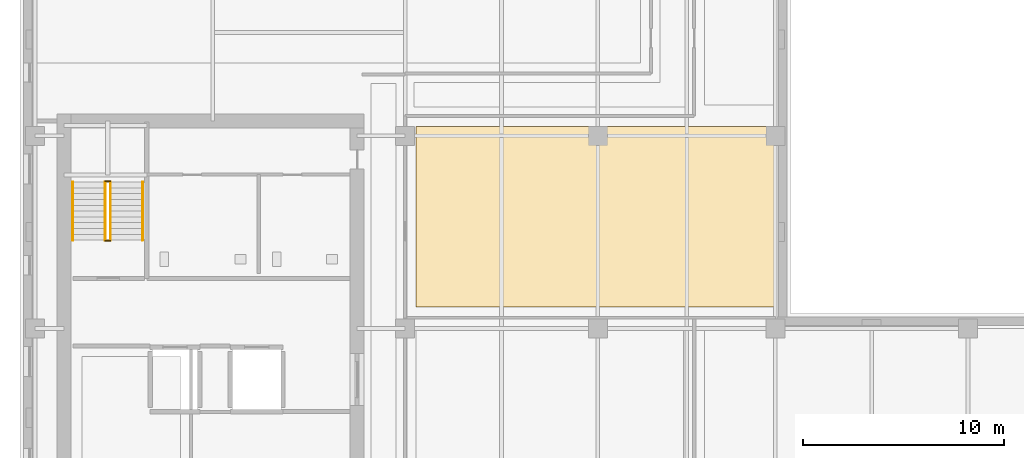
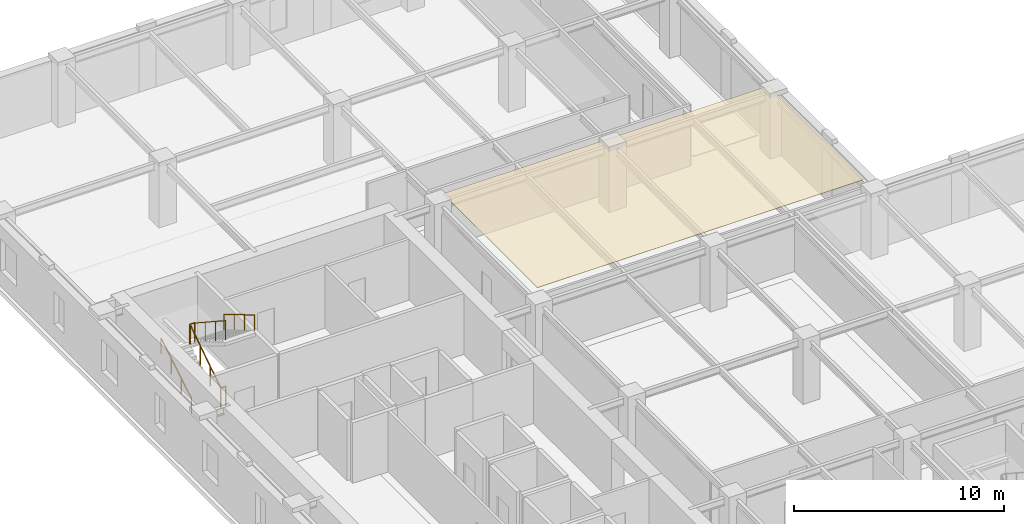
# One storey, part 11 of 13: 6 railings, 1 covering.
"""IFC4 building model written with IfcOpenShell, lengths in metres."""

from ifc_helpers import new_model, si_unit, direction, frame, origin, origin_2d, place, context, subcontext, project, spatial, polyline, circle, outline, extrude, material, layer, layer_set, type_object, element, save


model = new_model("IFC4")

# Units and contexts
model_context = context("Model", 3, precision=1e-05, world=origin(), true_north=direction((0.0, 1.0)))
body_context = subcontext(model_context, "Body", "Model", "MODEL_VIEW")
ifc_project = project(units=[si_unit("LENGTHUNIT", "METRE"), si_unit("AREAUNIT", "SQUARE_METRE"), si_unit("VOLUMEUNIT", "CUBIC_METRE"), si_unit("PLANEANGLEUNIT", "RADIAN"), si_unit("MASSUNIT", "GRAM", prefix="KILO")], contexts=[model_context])

# Site, building, storey
site_placement = place(None, origin())
site = spatial("IfcSite", under=ifc_project, at=site_placement, CompositionType="ELEMENT")
building_placement = place(site_placement, origin())
building = spatial("IfcBuilding", under=site, at=building_placement, Name="Norrvale University Quadrangle", CompositionType="ELEMENT")
storey_placement = place(building_placement, frame((0.0, 0.0, 159.800048828125)))
storey = spatial("IfcBuildingStorey", under=building, at=storey_placement, Name="L40", CompositionType="ELEMENT", Elevation=159.800048828125)

# Covering
ifc_material_1 = material(Name="Perforated Acoustic Mineral Ceiling")
ifc_layer = layer(ifc_material_1, 0.02490234375, Name="Perforated Acoustic Mineral Ceiling")
ifc_layer_set = layer_set([ifc_layer], Name="Perforated Acoustic Mineral Ceiling")
covering_type = type_object("IfcCoveringType", Name="Covering Acoustic Ceiling 25", PredefinedType="CEILING", material=ifc_layer_set)
covering_placement = place(storey_placement, frame((0.0, 0.0, 3.514892578125)))
element("IfcCovering", 1, at=covering_placement, inside=storey, type_object=covering_type, Name="Acoustic Ceiling RM-L40-MNE01", PredefinedType="CEILING", context=body_context, shape_type="SweptSolid", body=[
    extrude(outline(polyline([(19.72998046875, 47.719970703125), (37.64990234375, 47.719970703125), (37.64990234375, 38.7099609375), (19.72998046875, 38.7099609375), (19.72998046875, 47.719970703125)])), origin(), (0.0, 0.0, 1.0), 0.025146484375),
])

# Railings
ifc_material_2 = material(Name="Steel 350W Painted Balustrade", Category="steel")
railing_type_1 = type_object("IfcRailingType", Name="Railing Stair Guard 1100", PredefinedType="GUARDRAIL", material=ifc_material_2)
for number, where, name in (
    (2, (4.239990234375, 42.02001953125, 0.0), "Stair Floor Well Guard ST-02 L40"),
    (3, (4.239990234375, 44.97998046875, 1.89990234375), "Stair Mid-Landing Slot Guard ST-02 L40"),
):
    element("IfcRailing", number, at=place(storey_placement, frame(where)), inside=storey, type_object=railing_type_1, Name=name, PredefinedType="GUARDRAIL", context=body_context, shape_type="SweptSolid", body=[
        extrude(circle(Radius=0.02392578125, at=origin_2d()), frame((0.0, 0.0, 1.1259765625), z_axis=(1.0, 0.0, 0.0), x_axis=(0.0, 1.0, 0.0)), (0.0, 0.0, 1.0), 0.27001953125),
        extrude(circle(Radius=0.02099609375, at=origin_2d()), origin(), (0.0, 0.0, 1.0), 1.101806640625),
        extrude(circle(Radius=0.02099609375, at=origin_2d()), frame((0.27001953125, 0.0, 0.0)), (0.0, 0.0, 1.0), 1.101806640625),
    ])
railing_1_placement = place(storey_placement, frame((4.239990234375, 42.050048828125, 0.0)))
element("IfcRailing", 4, at=railing_1_placement, inside=storey, type_object=railing_type_1, Name="Stair Lower Flight Inner Guard ST-02 L40", PredefinedType="GUARDRAIL", context=body_context, shape_type="SweptSolid", body=[
    extrude(circle(Radius=0.02392578125, at=origin_2d()), frame((0.0, 0.0, 1.1259765625), z_axis=(0.0, 0.836465582154, 0.548019461216), x_axis=(-1.0, 0.0, 0.0)), (0.0, 0.0, 1.0), 3.466796875),
    extrude(circle(Radius=0.02099609375, at=origin_2d()), origin(), (0.0, 0.0, 1.0), 1.101806640625),
    extrude(circle(Radius=0.02099609375, at=origin_2d()), frame((0.0, 0.966552734375, 0.63330078125)), (0.0, 0.0, 1.0), 1.101806640625),
    extrude(circle(Radius=0.02099609375, at=origin_2d()), frame((0.0, 1.933349609375, 1.2666015625)), (0.0, 0.0, 1.0), 1.101806640625),
    extrude(circle(Radius=0.02099609375, at=origin_2d()), frame((0.0, 2.89990234375, 1.89990234375)), (0.0, 0.0, 1.0), 1.101806640625),
])
railing_2_placement = place(storey_placement, frame((4.510009765625, 44.949951171875, 1.89990234375)))
element("IfcRailing", 5, at=railing_2_placement, inside=storey, type_object=railing_type_1, Name="Stair Upper Flight Inner Guard ST-02 L40", PredefinedType="GUARDRAIL", context=body_context, shape_type="SweptSolid", body=[
    extrude(circle(Radius=0.02392578125, at=origin_2d()), frame((0.0, 0.0, 1.1259765625), z_axis=(0.0, -0.836433300813, 0.548068730445), x_axis=(1.0, 0.0, 0.0)), (0.0, 0.0, 1.0), 3.467041015625),
    extrude(circle(Radius=0.02099609375, at=origin_2d()), origin(), (0.0, 0.0, 1.0), 1.101806640625),
    extrude(circle(Radius=0.02099609375, at=origin_2d()), frame((0.0, -0.966552734375, 0.63330078125)), (0.0, 0.0, 1.0), 1.101806640625),
    extrude(circle(Radius=0.02099609375, at=origin_2d()), frame((0.0, -1.933349609375, 1.266845703125)), (0.0, 0.0, 1.0), 1.101806640625),
    extrude(circle(Radius=0.02099609375, at=origin_2d()), frame((0.0, -2.89990234375, 1.900146484375)), (0.0, 0.0, 1.0), 1.101806640625),
])
ifc_material_3 = material(Name="Stainless Steel 316L Handrail", Category="steel")
railing_type_2 = type_object("IfcRailingType", Name="Railing Stair Handrail 920", PredefinedType="HANDRAIL", material=ifc_material_3)
railing_3_placement = place(storey_placement, frame((2.639892578125, 42.050048828125, 0.172607421875)))
element("IfcRailing", 6, at=railing_3_placement, inside=storey, type_object=railing_type_2, Name="Stair Lower Flight Handrail ST-02 L40", PredefinedType="HANDRAIL", context=body_context, shape_type="SweptSolid", body=[
    extrude(circle(Radius=0.02392578125, at=origin_2d()), frame((0.0, 0.0, 0.89599609375), z_axis=(0.0, 0.859141464434, 0.511738159696), x_axis=(-1.0, 0.0, 0.0)), (0.0, 0.0, 1.0), 3.375244140625),
    extrude(circle(Radius=0.02099609375, at=origin_2d()), origin(), (0.0, 0.0, 1.0), 0.871826171875),
    extrude(circle(Radius=0.02099609375, at=origin_2d()), frame((0.0, 0.966552734375, 0.57568359375)), (0.0, 0.0, 1.0), 0.871826171875),
    extrude(circle(Radius=0.02099609375, at=origin_2d()), frame((0.0, 1.933349609375, 1.151611328125)), (0.0, 0.0, 1.0), 0.871826171875),
    extrude(circle(Radius=0.02099609375, at=origin_2d()), frame((0.0, 2.89990234375, 1.727294921875)), (0.0, 0.0, 1.0), 0.871826171875),
])
railing_4_placement = place(storey_placement, frame((6.110107421875, 44.949951171875, 2.07275390625)))
element("IfcRailing", 7, at=railing_4_placement, inside=storey, type_object=railing_type_2, Name="Stair Upper Flight Handrail ST-02 L40", PredefinedType="HANDRAIL", context=body_context, shape_type="SweptSolid", body=[
    extrude(circle(Radius=0.02392578125, at=origin_2d()), frame((0.0, 0.0, 0.89599609375), z_axis=(0.0, -0.859141464434, 0.511738159696), x_axis=(1.0, 0.0, 0.0)), (0.0, 0.0, 1.0), 3.375244140625),
    extrude(circle(Radius=0.02099609375, at=origin_2d()), origin(), (0.0, 0.0, 1.0), 0.871826171875),
    extrude(circle(Radius=0.02099609375, at=origin_2d()), frame((0.0, -0.966552734375, 0.57568359375)), (0.0, 0.0, 1.0), 0.871826171875),
    extrude(circle(Radius=0.02099609375, at=origin_2d()), frame((0.0, -1.933349609375, 1.151611328125)), (0.0, 0.0, 1.0), 0.871826171875),
    extrude(circle(Radius=0.02099609375, at=origin_2d()), frame((0.0, -2.89990234375, 1.727294921875)), (0.0, 0.0, 1.0), 0.871826171875),
])

save(model, "model.ifc")
